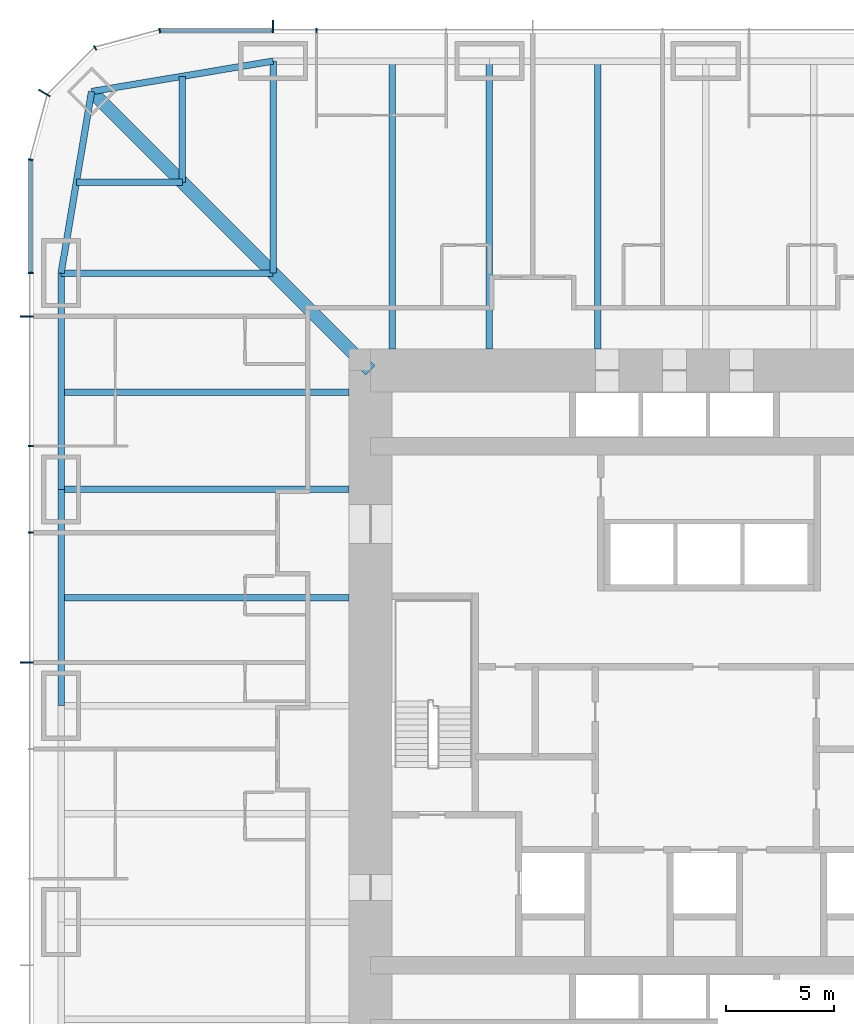
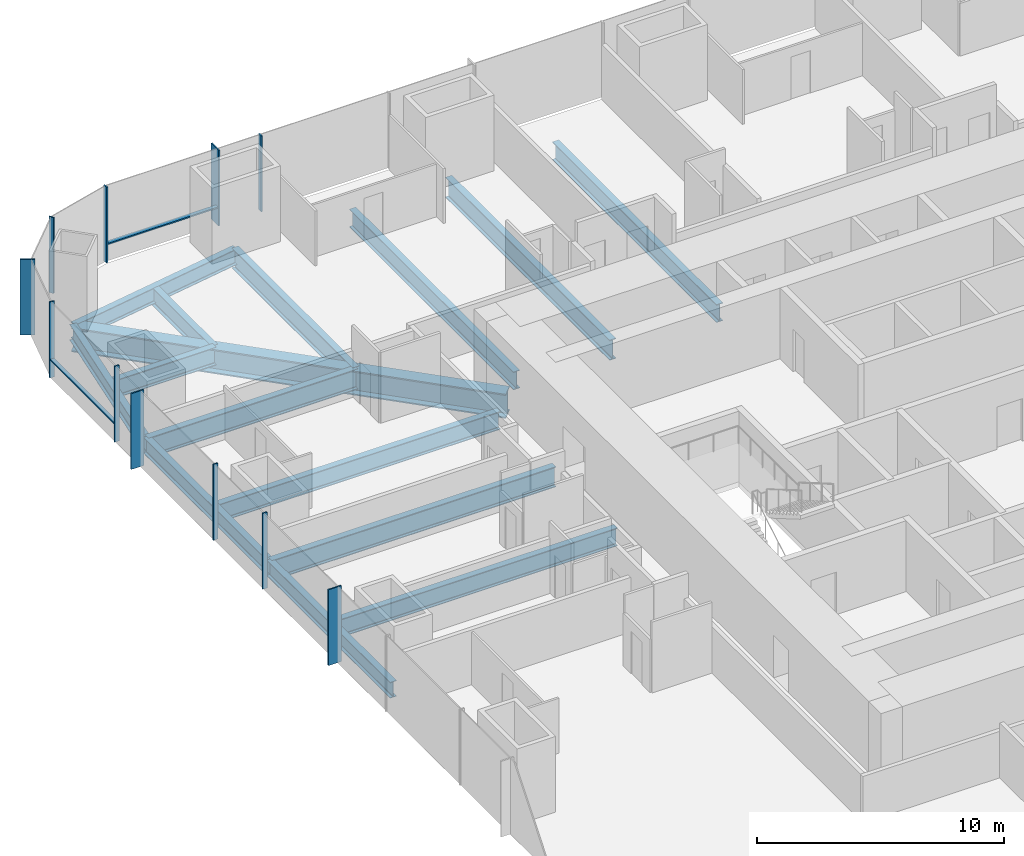
# One storey, part 6 of 17: 15 beams, 13 members, 3 elements without a shape of their own.
"""IFC4 building model written with IfcOpenShell, lengths in metres."""

from ifc_helpers import new_model, si_unit, direction, frame, origin, origin_2d, place, context, subcontext, project, spatial, rectangle, i_section, extrude, material, material_profile, profile_set, type_object, element, aggregate, save


model = new_model("IFC4")

# Units and contexts
model_context = context("Model", 3, precision=1e-05, world=origin(), true_north=direction((0.0, 1.0)))
body_context = subcontext(model_context, "Body", "Model", "MODEL_VIEW")
ifc_project = project(units=[si_unit("LENGTHUNIT", "METRE"), si_unit("AREAUNIT", "SQUARE_METRE"), si_unit("VOLUMEUNIT", "CUBIC_METRE"), si_unit("PLANEANGLEUNIT", "RADIAN"), si_unit("MASSUNIT", "GRAM", prefix="KILO")], contexts=[model_context])

# Site, building, storey
site_placement = place(None, origin())
site = spatial("IfcSite", under=ifc_project, at=site_placement, CompositionType="ELEMENT")
building_placement = place(site_placement, origin())
building = spatial("IfcBuilding", under=site, at=building_placement, Name="Khuree Lantern Residences", CompositionType="ELEMENT")
storey_placement = place(building_placement, frame((0.0, 0.0, 73.5)))
storey = spatial("IfcBuildingStorey", under=building, at=storey_placement, Name="L18", CompositionType="ELEMENT", Elevation=73.5)

# Beams
ifc_material_1 = material(Name="Steel S355", Category="steel")
ifc_material_profile_1 = material_profile(ifc_material_1, i_section(OverallWidth=0.300048828125, OverallDepth=0.889892578125, WebThickness=0.01611328125, FlangeThickness=0.030029296875, FilletRadius=0.030029296875, at=origin_2d()), Name="HE 900 A")
ifc_profile_set_1 = profile_set([ifc_material_profile_1], Name="Steel S355")
beam_type_1 = type_object("IfcBeamType", Name="B-14 SECONDARY BEAM HE 900 A", PredefinedType="BEAM", material=ifc_profile_set_1)
for number, where, z_axis, x_axis, name in (
    (1, (-14.5, 29.800048828125, -0.695068359375), (0.0, -1.0, 0.0), (1.0, 0.0, 0.0), "Secondary beam N1"),
    (2, (-5.0, 29.800048828125, -0.695068359375), (0.0, -1.0, 0.0), (1.0, 0.0, 0.0), "Secondary beam N2"),
    (3, (-29.800048828125, 5.0, -0.695068359375), (1.0, 0.0, 0.0), (0.0, 1.0, 0.0), "Secondary beam W4"),
    (4, (-29.800048828125, 14.5, -0.695068359375), (1.0, 0.0, 0.0), (0.0, 1.0, 0.0), "Secondary beam W5"),
):
    element("IfcBeam", number, at=place(storey_placement, frame(where, z_axis=z_axis, x_axis=x_axis)), inside=storey, type_object=beam_type_1, Name=name, PredefinedType="BEAM", context=body_context, shape_type="SweptSolid", body=[
        extrude(i_section(OverallWidth=0.300048828125, OverallDepth=0.889892578125, WebThickness=0.01611328125, FlangeThickness=0.030029296875, FilletRadius=0.030029296875, at=origin_2d()), origin(), (0.0, 0.0, 1.0), 13.300048828125),
    ])
for number, where, z_axis, x_axis, name in (
    (5, (-29.09716796875, 24.197021484375, -0.695068359375), (1.0, 0.0, 0.0), (0.0, 1.0, 0.0), "Secondary beam W6"),
    (6, (-24.197021484375, 29.09716796875, -0.695068359375), (0.0, -1.0, 0.0), (1.0, 0.0, 0.0), "Secondary beam N6"),
):
    element("IfcBeam", number, at=place(storey_placement, frame(where, z_axis=z_axis, x_axis=x_axis)), inside=storey, type_object=beam_type_1, Name=name, PredefinedType="BEAM", context=body_context, shape_type="SweptSolid", body=[
        extrude(i_section(OverallWidth=0.300048828125, OverallDepth=0.889892578125, WebThickness=0.01611328125, FlangeThickness=0.030029296875, FilletRadius=0.030029296875, at=origin_2d()), origin(), (0.0, 0.0, 1.0), 4.900146484375),
    ])
ifc_material_profile_2 = material_profile(ifc_material_1, i_section(OverallWidth=0.300048828125, OverallDepth=0.7900390625, WebThickness=0.014892578125, FlangeThickness=0.028076171875, FilletRadius=0.030029296875, at=origin_2d()), Name="HE 800 A")
ifc_profile_set_2 = profile_set([ifc_material_profile_2], Name="Steel S355")
beam_type_2 = type_object("IfcBeamType", Name="E-14 SPANDREL BEAM HE 800 A", PredefinedType="SPANDREL", material=ifc_profile_set_2)
for number, where, z_axis, x_axis, name in (
    (7, (-29.800048828125, 0.0, -0.64501953125), (0.0, 1.0, 0.0), (-1.0, 0.0, 0.0), "Spandrel beam W4"),
    (8, (-29.800048828125, 10.0, -0.64501953125), (0.0, 1.0, 0.0), (-1.0, 0.0, 0.0), "Spandrel beam W5"),
):
    element("IfcBeam", number, at=place(storey_placement, frame(where, z_axis=z_axis, x_axis=x_axis)), inside=storey, type_object=beam_type_2, Name=name, PredefinedType="SPANDREL", context=body_context, shape_type="SweptSolid", body=[
        extrude(i_section(OverallWidth=0.300048828125, OverallDepth=0.7900390625, WebThickness=0.014892578125, FlangeThickness=0.028076171875, FilletRadius=0.030029296875, at=origin_2d()), origin(), (0.0, 0.0, 1.0), 10.0),
    ])
for number, where, z_axis, x_axis, name in (
    (9, (-29.800048828125, 20.0, -0.64501953125), (0.165199022349, 0.986260251158, 0.0), (-0.986260251158, 0.165199022349, 0.0), "Spandrel beam W6"),
    (10, (-28.39404296875, 28.39404296875, -0.64501953125), (0.986260251158, 0.165199022349, 0.0), (-0.165199022349, 0.986260251158, 0.0), "Spandrel beam N6"),
):
    element("IfcBeam", number, at=place(storey_placement, frame(where, z_axis=z_axis, x_axis=x_axis)), inside=storey, type_object=beam_type_2, Name=name, PredefinedType="SPANDREL", context=body_context, shape_type="SweptSolid", body=[
        extrude(i_section(OverallWidth=0.300048828125, OverallDepth=0.7900390625, WebThickness=0.014892578125, FlangeThickness=0.028076171875, FilletRadius=0.030029296875, at=origin_2d()), origin(), (0.0, 0.0, 1.0), 8.510986328125),
    ])

# Curtain wall, member
ifc_material_2 = material(Name="Bronze anodised aluminium", Category="aluminium")
curtain_wall_type_1 = type_object("IfcCurtainWallType", Name="CW-T1 TOWER FACE CURTAIN WALL", PredefinedType="USERDEFINED", material=ifc_material_2)
curtain_wall_1_placement = place(storey_placement, origin())
curtain_wall_1 = element("IfcCurtainWall", 11, at=curtain_wall_1_placement, inside=storey, type_object=curtain_wall_type_1, Name="L18 NORTH FACE CURTAIN WALL", ObjectType="Stick-built curtain wall", PredefinedType="USERDEFINED")
ifc_material_profile_3 = material_profile(ifc_material_2, rectangle(XDim=0.06494140625, YDim=0.60009765625, at=origin_2d()), Name="F1 65X600")
ifc_profile_set_3 = profile_set([ifc_material_profile_3], Name="Bronze anodised aluminium")
member_type_1 = type_object("IfcMemberType", Name="F1 BRONZE FIN MULLION TOWER 65X600", PredefinedType="MULLION", material=ifc_profile_set_3)
member_1_placement = place(storey_placement, frame((-20.0, 31.39990234375, 0.0), z_axis=(0.0, 0.0, 1.0), x_axis=(-1.0, 0.0, 0.0)))
member_1 = element("IfcMember", 12, at=member_1_placement, type_object=member_type_1, Name="L18 NORTH FACE FIN MULLION 28", PredefinedType="MULLION", context=body_context, shape_type="SweptSolid", body=[
    extrude(rectangle(XDim=0.06494140625, YDim=0.60009765625, at=origin_2d()), origin(), (0.0, 0.0, 1.0), 3.75),
])

curtain_wall_type_2 = type_object("IfcCurtainWallType", Name="CW-T2 TOWER CORNER CURTAIN WALL", PredefinedType="USERDEFINED", material=ifc_material_2)
curtain_wall_2_placement = place(storey_placement, origin())
curtain_wall_2 = element("IfcCurtainWall", 13, at=curtain_wall_2_placement, inside=storey, type_object=curtain_wall_type_2, Name="L18 NORTH-WEST CORNER CURTAIN WALL", ObjectType="Faceted corner curtain wall", PredefinedType="USERDEFINED")
member_2_placement = place(storey_placement, frame((-30.576171875, 28.324951171875, 0.0), z_axis=(0.0, 0.0, 1.0), x_axis=(-0.500000056923, -0.86602537092, 0.0)))
member_2 = element("IfcMember", 14, at=member_2_placement, type_object=member_type_1, Name="L18 NORTH-WEST CORNER FIN MULLION 31", PredefinedType="MULLION", context=body_context, shape_type="SweptSolid", body=[
    extrude(rectangle(XDim=0.06494140625, YDim=0.60009765625, at=origin_2d()), origin(), (0.0, 0.0, 1.0), 3.75),
])

# Curtain wall, members
curtain_wall_3_placement = place(storey_placement, origin())
curtain_wall_3 = element("IfcCurtainWall", 15, at=curtain_wall_3_placement, inside=storey, type_object=curtain_wall_type_1, Name="L18 WEST FACE CURTAIN WALL", ObjectType="Stick-built curtain wall", PredefinedType="USERDEFINED")
member_3_placement = place(storey_placement, frame((-31.39990234375, 18.0, 0.0), z_axis=(0.0, 0.0, 1.0), x_axis=(0.0, -1.0, 0.0)))
member_3 = element("IfcMember", 16, at=member_3_placement, type_object=member_type_1, Name="L18 WEST FACE FIN MULLION 34", PredefinedType="MULLION", context=body_context, shape_type="SweptSolid", body=[
    extrude(rectangle(XDim=0.06494140625, YDim=0.60009765625, at=origin_2d()), origin(), (0.0, 0.0, 1.0), 3.75),
])
member_4_placement = place(storey_placement, frame((-31.39990234375, 2.0, 0.0), z_axis=(0.0, 0.0, 1.0), x_axis=(0.0, -1.0, 0.0)))
member_4 = element("IfcMember", 17, at=member_4_placement, type_object=member_type_1, Name="L18 WEST FACE FIN MULLION 37", PredefinedType="MULLION", context=body_context, shape_type="SweptSolid", body=[
    extrude(rectangle(XDim=0.06494140625, YDim=0.60009765625, at=origin_2d()), origin(), (0.0, 0.0, 1.0), 3.75),
])

# Beams
ifc_material_profile_4 = material_profile(ifc_material_1, i_section(OverallWidth=0.302001953125, OverallDepth=1.008056640625, WebThickness=0.02099609375, FlangeThickness=0.0400390625, FilletRadius=0.030029296875, at=origin_2d()), Name="HE 1000 M")
ifc_profile_set_4 = profile_set([ifc_material_profile_4], Name="Steel S355")
beam_type_3 = type_object("IfcBeamType", Name="G-14 GIRDER HE 1000 M", PredefinedType="BEAM", material=ifc_profile_set_4)
beam_1_placement = place(storey_placement, frame((-20.0, 29.800048828125, -0.75390625), z_axis=(0.0, -1.0, 0.0), x_axis=(1.0, 0.0, 0.0)))
element("IfcBeam", 18, at=beam_1_placement, inside=storey, type_object=beam_type_3, Name="Girder N1", PredefinedType="BEAM", context=body_context, shape_type="SweptSolid", body=[
    extrude(i_section(OverallWidth=0.302001953125, OverallDepth=1.008056640625, WebThickness=0.02099609375, FlangeThickness=0.0400390625, FilletRadius=0.030029296875, at=origin_2d()), origin(), (0.0, 0.0, 1.0), 9.800048828125),
])
for number, where, z_axis, x_axis, name in (
    (19, (-10.0, 29.800048828125, -0.75390625), (0.0, -1.0, 0.0), (1.0, 0.0, 0.0), "Girder N2"),
    (20, (-29.800048828125, 10.0, -0.75390625), (1.0, 0.0, 0.0), (0.0, 1.0, 0.0), "Girder W4"),
):
    element("IfcBeam", number, at=place(storey_placement, frame(where, z_axis=z_axis, x_axis=x_axis)), inside=storey, type_object=beam_type_3, Name=name, PredefinedType="BEAM", context=body_context, shape_type="SweptSolid", body=[
        extrude(i_section(OverallWidth=0.302001953125, OverallDepth=1.008056640625, WebThickness=0.02099609375, FlangeThickness=0.0400390625, FilletRadius=0.030029296875, at=origin_2d()), origin(), (0.0, 0.0, 1.0), 13.300048828125),
    ])
beam_2_placement = place(storey_placement, frame((-29.800048828125, 20.0, -0.75390625), z_axis=(1.0, 0.0, 0.0), x_axis=(0.0, 1.0, 0.0)))
element("IfcBeam", 21, at=beam_2_placement, inside=storey, type_object=beam_type_3, Name="Girder W5", PredefinedType="BEAM", context=body_context, shape_type="SweptSolid", body=[
    extrude(i_section(OverallWidth=0.302001953125, OverallDepth=1.008056640625, WebThickness=0.02099609375, FlangeThickness=0.0400390625, FilletRadius=0.030029296875, at=origin_2d()), origin(), (0.0, 0.0, 1.0), 9.800048828125),
])
ifc_material_profile_5 = material_profile(ifc_material_1, i_section(OverallWidth=0.60009765625, OverallDepth=1.199951171875, WebThickness=0.030029296875, FlangeThickness=0.06005859375, at=origin_2d()), Name="WELDED I 1200X600X30X60")
ifc_profile_set_5 = profile_set([ifc_material_profile_5], Name="Steel S355")
beam_type_4 = type_object("IfcBeamType", Name="GD-14 CORNER GIRDER WELDED I 1200X600X30X60", PredefinedType="BEAM", material=ifc_profile_set_5)
beam_3_placement = place(storey_placement, frame((-28.39404296875, 28.39404296875, -0.85009765625), z_axis=(0.707106781187, -0.707106781187, 0.0), x_axis=(0.707106781187, 0.707106781187, 0.0)))
element("IfcBeam", 22, at=beam_3_placement, inside=storey, type_object=beam_type_4, Name="Corner girder NW", PredefinedType="BEAM", context=body_context, shape_type="SweptSolid", body=[
    extrude(i_section(OverallWidth=0.60009765625, OverallDepth=1.199951171875, WebThickness=0.030029296875, FlangeThickness=0.06005859375, at=origin_2d()), origin(), (0.0, 0.0, 1.0), 18.23486328125),
])

# Member
ifc_material_profile_6 = material_profile(ifc_material_2, rectangle(XDim=0.06494140625, YDim=0.219970703125, at=origin_2d()), Name="M1 65X220")
ifc_profile_set_6 = profile_set([ifc_material_profile_6], Name="Bronze anodised aluminium")
member_type_2 = type_object("IfcMemberType", Name="M1 BRONZE MULLION TOWER 65X220", PredefinedType="MULLION", material=ifc_profile_set_6)
member_5_placement = place(storey_placement, frame((-18.0, 31.2099609375, 0.0), z_axis=(0.0, 0.0, 1.0), x_axis=(-1.0, 0.0, 0.0)))
member_5 = element("IfcMember", 23, at=member_5_placement, type_object=member_type_2, Name="L18 NORTH FACE MULLION 27", PredefinedType="MULLION", context=body_context, shape_type="SweptSolid", body=[
    extrude(rectangle(XDim=0.06494140625, YDim=0.219970703125, at=origin_2d()), origin(), (0.0, 0.0, 1.0), 3.75),
])

member_6_placement = place(storey_placement, frame((-25.244873046875, 31.211669921875, 0.0), z_axis=(0.0, 0.0, 1.0), x_axis=(-0.991444852794, -0.130526257387, 0.0)))
member_6 = element("IfcMember", 24, at=member_6_placement, type_object=member_type_2, Name="L18 NORTH-WEST CORNER MULLION 29", PredefinedType="MULLION", context=body_context, shape_type="SweptSolid", body=[
    extrude(rectangle(XDim=0.06494140625, YDim=0.219970703125, at=origin_2d()), origin(), (0.0, 0.0, 1.0), 3.75),
])

member_7_placement = place(storey_placement, frame((-28.22998046875, 30.41162109375, 0.0), z_axis=(0.0, 0.0, 1.0), x_axis=(-0.86602537092, -0.500000056923, 0.0)))
member_7 = element("IfcMember", 25, at=member_7_placement, type_object=member_type_2, Name="L18 NORTH-WEST CORNER MULLION 30", PredefinedType="MULLION", context=body_context, shape_type="SweptSolid", body=[
    extrude(rectangle(XDim=0.06494140625, YDim=0.219970703125, at=origin_2d()), origin(), (0.0, 0.0, 1.0), 3.75),
])

aggregate(curtain_wall_2, [member_6, member_7, member_2])

member_8_placement = place(storey_placement, frame((-31.211669921875, 25.244873046875, 0.0), z_axis=(0.0, 0.0, 1.0), x_axis=(-0.130526257387, -0.991444852794, 0.0)))
member_8 = element("IfcMember", 26, at=member_8_placement, type_object=member_type_2, Name="L18 WEST FACE MULLION 32", PredefinedType="MULLION", context=body_context, shape_type="SweptSolid", body=[
    extrude(rectangle(XDim=0.06494140625, YDim=0.219970703125, at=origin_2d()), origin(), (0.0, 0.0, 1.0), 3.75),
])

member_9_placement = place(storey_placement, frame((-31.2099609375, 20.0, 0.0), z_axis=(0.0, 0.0, 1.0), x_axis=(0.0, -1.0, 0.0)))
member_9 = element("IfcMember", 27, at=member_9_placement, type_object=member_type_2, Name="L18 WEST FACE MULLION 33", PredefinedType="MULLION", context=body_context, shape_type="SweptSolid", body=[
    extrude(rectangle(XDim=0.06494140625, YDim=0.219970703125, at=origin_2d()), origin(), (0.0, 0.0, 1.0), 3.75),
])

member_10_placement = place(storey_placement, frame((-31.2099609375, 12.0, 0.0), z_axis=(0.0, 0.0, 1.0), x_axis=(0.0, -1.0, 0.0)))
member_10 = element("IfcMember", 28, at=member_10_placement, type_object=member_type_2, Name="L18 WEST FACE MULLION 35", PredefinedType="MULLION", context=body_context, shape_type="SweptSolid", body=[
    extrude(rectangle(XDim=0.06494140625, YDim=0.219970703125, at=origin_2d()), origin(), (0.0, 0.0, 1.0), 3.75),
])

member_11_placement = place(storey_placement, frame((-31.2099609375, 8.0, 0.0), z_axis=(0.0, 0.0, 1.0), x_axis=(0.0, -1.0, 0.0)))
member_11 = element("IfcMember", 29, at=member_11_placement, type_object=member_type_2, Name="L18 WEST FACE MULLION 36", PredefinedType="MULLION", context=body_context, shape_type="SweptSolid", body=[
    extrude(rectangle(XDim=0.06494140625, YDim=0.219970703125, at=origin_2d()), origin(), (0.0, 0.0, 1.0), 3.75),
])

ifc_material_profile_7 = material_profile(ifc_material_2, rectangle(XDim=0.179931640625, YDim=0.06494140625, at=origin_2d()), Name="T1 180X65")
ifc_profile_set_7 = profile_set([ifc_material_profile_7], Name="Bronze anodised aluminium")
member_type_3 = type_object("IfcMemberType", Name="TRANSOM T1 TOWER 180X65", PredefinedType="USERDEFINED", material=ifc_profile_set_7)
member_12_placement = place(storey_placement, frame((-20.032470703125, 31.219970703125, 0.89990234375), z_axis=(-1.0, 0.0, 0.0), x_axis=(0.0, -1.0, 0.0)))
member_12 = element("IfcMember", 30, at=member_12_placement, type_object=member_type_3, Name="L18 NORTH FACE TRANSOM 28.1", ObjectType="Transom", PredefinedType="USERDEFINED", context=body_context, shape_type="SweptSolid", body=[
    extrude(rectangle(XDim=0.179931640625, YDim=0.06494140625, at=origin_2d()), origin(), (0.0, 0.0, 1.0), 5.1689453125),
])

aggregate(curtain_wall_1, [member_5, member_1, member_12])

member_13_placement = place(storey_placement, frame((-31.219970703125, 25.201416015625, 0.89990234375), z_axis=(0.0, -1.0, 0.0), x_axis=(1.0, 0.0, 0.0)))
member_13 = element("IfcMember", 31, at=member_13_placement, type_object=member_type_3, Name="L18 WEST FACE TRANSOM 32.1", ObjectType="Transom", PredefinedType="USERDEFINED", context=body_context, shape_type="SweptSolid", body=[
    extrude(rectangle(XDim=0.179931640625, YDim=0.06494140625, at=origin_2d()), origin(), (0.0, 0.0, 1.0), 5.1689453125),
])

aggregate(curtain_wall_3, [member_8, member_9, member_3, member_10, member_11, member_4, member_13])

save(model, "model.ifc")
